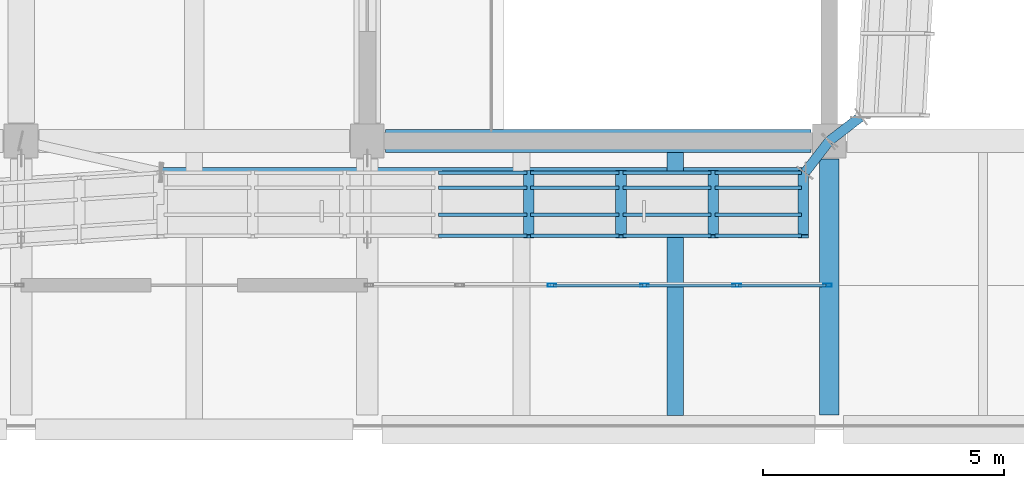
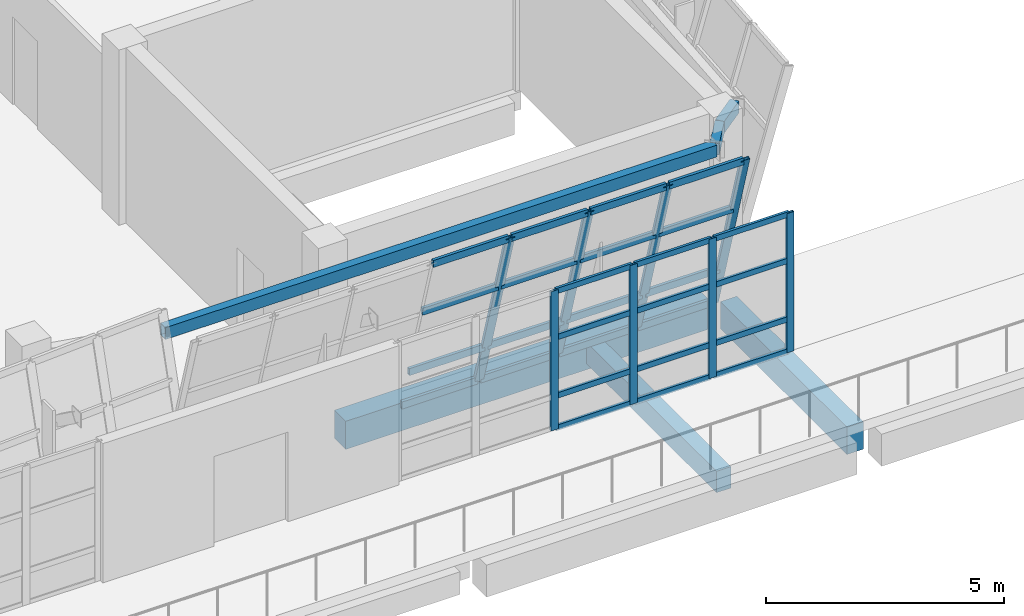
# One storey, part 17 of 67: 36 members, 6 beams, 2 elements without a shape of their own.
"""IFC4 building model written with IfcOpenShell, lengths in metres."""

import ifcopenshell
import ifcopenshell.guid

model = None  # the IFC model being written
_history = None  # IfcOwnerHistory: only IFC2X3 demands one
_inside = {}  # id of a spatial element -> (the spatial element, [elements in it])
_under = {}  # id of a project, library or spatial element -> (it, [spatial elements below it])
_declared = {}  # id of a project -> (the project, [libraries it declares])
_typed = {}  # id of a type object -> (the type object, [elements of that type])
_made_of = {}  # id of a material, layer set ... -> (it, [elements and type objects made of it])


def new_model(schema):
    """Start an empty IFC model of exactly this schema.

    Asked for "IFC4X3", IfcOpenShell would pick the latest addendum, in which some entities
    have other attributes; the version numbers below select the first issue.
    IFC2X3 requires an IfcOwnerHistory on every rooted entity: one is made here for all.
    """
    global model, _history
    if schema == "IFC4X3":
        model = ifcopenshell.file(schema_version=(4, 3, 0, 0))
    else:
        model = ifcopenshell.file(schema=schema)
    _inside.clear()
    _under.clear()
    _declared.clear()
    _typed.clear()
    _made_of.clear()
    _history = None
    if model.schema == "IFC2X3":
        org = make("IfcOrganization", Name="unknown")
        user = make(
            "IfcPersonAndOrganization",
            ThePerson=make("IfcPerson", FamilyName="unknown"),
            TheOrganization=org,
        )
        app = make(
            "IfcApplication",
            ApplicationDeveloper=org,
            Version="unknown",
            ApplicationFullName="unknown",
            ApplicationIdentifier="unknown",
        )
        _history = make(
            "IfcOwnerHistory",
            OwningUser=user,
            OwningApplication=app,
            ChangeAction="ADDED",
            CreationDate=0,
        )
    return model


def make(cls, **values):
    """One entity of the class cls with the attributes given. An attribute that is None is left unset."""
    return model.create_entity(
        cls, **{name: value for name, value in values.items() if value is not None}
    )


def rooted(cls, **values):
    """An entity with a GlobalId (a new one), such as an element, a storey or a relation."""
    return make(cls, GlobalId=ifcopenshell.guid.new(), OwnerHistory=_history, **values)


def si_unit(unit_type, name, prefix=None):
    """IfcSIUnit, for example si_unit("LENGTHUNIT", "METRE", prefix="MILLI")."""
    return make("IfcSIUnit", UnitType=unit_type, Prefix=prefix, Name=name)


def assignment(units):
    """IfcUnitAssignment: the units of a project."""
    return None if units is None else make("IfcUnitAssignment", Units=units)


def point(xyz):
    """IfcCartesianPoint."""
    return None if xyz is None else make("IfcCartesianPoint", Coordinates=xyz)


def direction(xyz):
    """IfcDirection."""
    return None if xyz is None else make("IfcDirection", DirectionRatios=xyz)


def frame(location, z_axis=None, x_axis=None):
    """IfcAxis2Placement3D, a coordinate frame: its origin and axes. An axis left out is left unset."""
    return make(
        "IfcAxis2Placement3D",
        Location=point(location),
        Axis=direction(z_axis),
        RefDirection=direction(x_axis),
    )


def frame_2d(location, x_axis=None):
    """IfcAxis2Placement2D, a coordinate frame in the plane: its origin and x axis."""
    return make(
        "IfcAxis2Placement2D", Location=point(location), RefDirection=direction(x_axis)
    )


def origin():
    """The frame at (0, 0, 0) with its axes left unset."""
    return frame((0.0, 0.0, 0.0))


def origin_2d():
    """The frame at (0, 0) in the plane with its x axis left unset."""
    return frame_2d((0.0, 0.0))


def place(relative_to, where):
    """IfcLocalPlacement: puts the frame where relative to a parent placement (None: the world)."""
    return make(
        "IfcLocalPlacement", PlacementRelTo=relative_to, RelativePlacement=where
    )


def context(
    kind, dimensions, precision=None, world=None, true_north=None, identifier=None
):
    """IfcGeometricRepresentationContext, for example the 3D "Model" context."""
    return make(
        "IfcGeometricRepresentationContext",
        ContextIdentifier=identifier,
        ContextType=kind,
        CoordinateSpaceDimension=dimensions,
        Precision=precision,
        WorldCoordinateSystem=world,
        TrueNorth=true_north,
    )


def subcontext(parent, identifier, kind, view, scale=None):
    """IfcGeometricRepresentationSubContext, for example "Body" below "Model"."""
    return make(
        "IfcGeometricRepresentationSubContext",
        ContextIdentifier=identifier,
        ContextType=kind,
        ParentContext=parent,
        TargetScale=scale,
        TargetView=view,
    )


def project(units=None, contexts=None):
    """IfcProject with its units and contexts."""
    return rooted(
        "IfcProject",
        Name="project",
        RepresentationContexts=contexts,
        UnitsInContext=assignment(units),
    )


def spatial(cls, under=None, at=None, **own):
    """A site, building, storey or space (cls), placed at a placement, below another one or the project."""
    s = rooted(cls, ObjectPlacement=at, **own)
    if under is not None:
        _under.setdefault(under.id(), (under, []))[1].append(s)
    return s


def profile(cls, at=None, kind="AREA", **sizes):
    """A parametric profile (cls). Its sizes go by their IFC names, for example OverallWidth=200.0."""
    return make(cls, ProfileType=kind, Position=at, **sizes)


def rectangle(**sizes):
    """IfcRectangleProfileDef."""
    return profile("IfcRectangleProfileDef", **sizes)


def hollow_rectangle(**sizes):
    """IfcRectangleHollowProfileDef."""
    return profile("IfcRectangleHollowProfileDef", **sizes)


def extrude(swept, where, along, depth):
    """IfcExtrudedAreaSolid: the profile swept, set in the frame where, extruded along a direction by depth."""
    return make(
        "IfcExtrudedAreaSolid",
        SweptArea=swept,
        Position=where,
        ExtrudedDirection=direction(along),
        Depth=depth,
    )


def shape(context_of_items, identifier, shape_type, items):
    """IfcShapeRepresentation: the items that make up one representation, for example the "Body"."""
    return make(
        "IfcShapeRepresentation",
        ContextOfItems=context_of_items,
        RepresentationIdentifier=identifier,
        RepresentationType=shape_type,
        Items=items,
    )


def material(Name=None, Category=None):
    """IfcMaterial."""
    return make("IfcMaterial", Name=Name, Category=Category)


def material_profile(
    of_material, cross_section, Name=None, Category=None, Priority=None
):
    """IfcMaterialProfile: a cross section and its material."""
    return make(
        "IfcMaterialProfile",
        Name=Name,
        Material=of_material,
        Profile=cross_section,
        Priority=Priority,
        Category=Category,
    )


def profile_set(profiles, Name=None, composite=None):
    """IfcMaterialProfileSet."""
    return make(
        "IfcMaterialProfileSet",
        Name=Name,
        MaterialProfiles=profiles,
        CompositeProfile=composite,
    )


def made_of(thing, what):
    """Note that an element or type object is made of a material, layer set ...; save() writes the relation."""
    if what is not None:
        _made_of.setdefault(what.id(), (what, []))[1].append(thing)
    return thing


def type_object(cls, material=None, **own):
    """A type object (cls), such as IfcWallType, which elements share."""
    return made_of(rooted(cls, **own), material)


def element(
    cls,
    number,
    at=None,
    inside=None,
    cuts=None,
    type_object=None,
    material=None,
    context=None,
    identifier="Body",
    shape_type=None,
    held_by="IfcProductDefinitionShape",
    body=None,
    shapes=None,
    **own,
):
    """One element of the class cls, such as IfcWall. Its Tag is "e" and its number.

    at: its placement. inside: the storey or other place that contains it. cuts: it is an
    opening in that element (IfcRelVoidsElement). A single representation is given by context,
    identifier, shape_type and body (its items); several are given by shapes. held_by: the class
    of the entity that holds the representations. save() writes the other relations.
    """
    e = rooted(cls, Tag="e%d" % number, ObjectPlacement=at, **own)
    if body is not None:
        shapes = [shape(context, identifier, shape_type, body)]
    if shapes is not None:
        e.Representation = make(held_by, Representations=shapes)
    if inside is not None:
        _inside.setdefault(inside.id(), (inside, []))[1].append(e)
    if cuts is not None:
        rooted(
            "IfcRelVoidsElement", RelatingBuildingElement=cuts, RelatedOpeningElement=e
        )
    if type_object is not None:
        _typed.setdefault(type_object.id(), (type_object, []))[1].append(e)
    return made_of(e, material)


def aggregate(whole, parts):
    """IfcRelAggregates: a whole, such as a stair, and the parts it consists of."""
    return rooted("IfcRelAggregates", RelatingObject=whole, RelatedObjects=parts)


def save(model, path):
    """Write the relations noted so far, then the file.

    IfcRelAggregates (storeys below a building ...), IfcRelContainedInSpatialStructure (elements
    in a storey), IfcRelDefinesByType, IfcRelAssociatesMaterial and IfcRelDeclares: one each for
    every whole, place, type object, material and project.
    """
    for whole, parts in _under.values():
        aggregate(whole, parts)
    for where, things in _inside.values():
        rooted(
            "IfcRelContainedInSpatialStructure",
            RelatedElements=things,
            RelatingStructure=where,
        )
    for kind, things in _typed.values():
        rooted("IfcRelDefinesByType", RelatedObjects=things, RelatingType=kind)
    for what, things in _made_of.values():
        rooted("IfcRelAssociatesMaterial", RelatedObjects=things, RelatingMaterial=what)
    for by, libraries in _declared.values():
        rooted("IfcRelDeclares", RelatingContext=by, RelatedDefinitions=libraries)
    model.write(path)


model = new_model("IFC4")

# Units and contexts
model_context = context("Model", 3, precision=1e-05, world=origin(), true_north=direction((0.0, 1.0)))
body_context = subcontext(model_context, "Body", "Model", "MODEL_VIEW")
ifc_project = project(units=[si_unit("LENGTHUNIT", "METRE"), si_unit("AREAUNIT", "SQUARE_METRE"), si_unit("VOLUMEUNIT", "CUBIC_METRE"), si_unit("PLANEANGLEUNIT", "RADIAN"), si_unit("MASSUNIT", "GRAM", prefix="KILO")], contexts=[model_context])

# Site, building, storey
site_placement = place(None, origin())
site = spatial("IfcSite", under=ifc_project, at=site_placement, CompositionType="ELEMENT")
building_placement = place(site_placement, origin())
building = spatial("IfcBuilding", under=site, at=building_placement, Name="Pellamere Symphony Hall", CompositionType="ELEMENT")
storey_placement = place(building_placement, frame((0.0, 0.0, 19.5)))
storey = spatial("IfcBuildingStorey", under=building, at=storey_placement, Name="L04", CompositionType="ELEMENT", Elevation=19.5)

# Curtain wall, members
ifc_material_1 = material(Name="Thermally Broken Anodised Aluminium 6063-T6 Curtain Wall", Category="aluminium")
curtain_wall_type_1 = type_object("IfcCurtainWallType", Name="Curtain Wall CW-01 (Tilted Faceted Crystal Low-Iron Curtain Wall)", PredefinedType="NOTDEFINED", material=ifc_material_1)
curtain_wall_1_placement = place(storey_placement, origin())
curtain_wall_1 = element("IfcCurtainWall", 1, at=curtain_wall_1_placement, inside=storey, type_object=curtain_wall_type_1, Name="Crystal Faceted Curtain Wall CW-CR05 (L04)", PredefinedType="NOTDEFINED")
ifc_material_2 = material(Name="Anodised Architectural Aluminium 6063-T6", Category="aluminium")
ifc_material_profile_1 = material_profile(ifc_material_2, hollow_rectangle(XDim=0.074951171875, YDim=0.219970703125, WallThickness=0.0048828125, at=origin_2d()), Name="ALU-M75X220X5")
ifc_profile_set_1 = profile_set([ifc_material_profile_1], Name="Anodised Architectural Aluminium 6063-T6")
member_type_1 = type_object("IfcMemberType", Name="Curtain Wall Mullion ML-01 ALU-M75X220X5", PredefinedType="MULLION", material=ifc_profile_set_1)
member_1_placement = place(storey_placement, frame((112.55712890625, 29.35009765625, 0.0), z_axis=(0.0, -0.284024567884, 0.95881700279), x_axis=(0.0, 0.95881700279, 0.284024567884)))
member_1 = element("IfcMember", 2, at=member_1_placement, type_object=member_type_1, Name="CW1-005 crystal mullion 5", PredefinedType="MULLION", context=body_context, shape_type="SweptSolid", body=[
    extrude(hollow_rectangle(XDim=0.074951171875, YDim=0.219970703125, WallThickness=0.0048828125, at=origin_2d()), origin(), (0.0, 0.0, 1.0), 4.693359375),
])
member_2_placement = place(storey_placement, frame((114.471435546875, 29.35009765625, 0.0), z_axis=(0.0, -0.284024567884, 0.95881700279), x_axis=(0.0, 0.95881700279, 0.284024567884)))
member_2 = element("IfcMember", 3, at=member_2_placement, type_object=member_type_1, Name="CW1-005 crystal mullion 6", PredefinedType="MULLION", context=body_context, shape_type="SweptSolid", body=[
    extrude(hollow_rectangle(XDim=0.074951171875, YDim=0.219970703125, WallThickness=0.0048828125, at=origin_2d()), origin(), (0.0, 0.0, 1.0), 4.693359375),
])
member_3_placement = place(storey_placement, frame((116.3857421875, 29.35009765625, 0.0), z_axis=(0.0, -0.284024567884, 0.95881700279), x_axis=(0.0, 0.95881700279, 0.284024567884)))
member_3 = element("IfcMember", 4, at=member_3_placement, type_object=member_type_1, Name="CW1-005 crystal mullion 7", PredefinedType="MULLION", context=body_context, shape_type="SweptSolid", body=[
    extrude(hollow_rectangle(XDim=0.074951171875, YDim=0.219970703125, WallThickness=0.0048828125, at=origin_2d()), origin(), (0.0, 0.0, 1.0), 4.693359375),
])
member_4_placement = place(storey_placement, frame((118.262451171875, 29.35009765625, 0.0), z_axis=(0.0, -0.284024567884, 0.95881700279), x_axis=(0.0, 0.95881700279, 0.284024567884)))
member_4 = element("IfcMember", 5, at=member_4_placement, type_object=member_type_1, Name="CW1-005 crystal mullion 8", PredefinedType="MULLION", context=body_context, shape_type="SweptSolid", body=[
    extrude(hollow_rectangle(XDim=0.074951171875, YDim=0.219970703125, WallThickness=0.0048828125, at=origin_2d()), origin(), (0.0, 0.0, 1.0), 4.693359375),
])

curtain_wall_type_2 = type_object("IfcCurtainWallType", Name="Curtain Wall CW-06 (Belvedere Terrace Clerestory Curtain Wall)", PredefinedType="NOTDEFINED", material=ifc_material_1)
curtain_wall_2_placement = place(storey_placement, origin())
curtain_wall_2 = element("IfcCurtainWall", 6, at=curtain_wall_2_placement, inside=storey, type_object=curtain_wall_type_2, Name="Winter-Garden South Curtain Wall (L04 Bay 9)", PredefinedType="NOTDEFINED")
ifc_material_profile_2 = material_profile(ifc_material_2, hollow_rectangle(XDim=0.06494140625, YDim=0.179931640625, WallThickness=0.00390625, at=origin_2d()), Name="ALU-M65X180X4")
ifc_profile_set_2 = profile_set([ifc_material_profile_2], Name="Anodised Architectural Aluminium 6063-T6")
member_type_2 = type_object("IfcMemberType", Name="Curtain Wall Mullion ML-02 ALU-M65X180X4", PredefinedType="MULLION", material=ifc_profile_set_2)
member_5_placement = place(storey_placement, frame((113.0400390625, 27.0, 0.0), z_axis=(0.0, 0.0, 1.0), x_axis=(0.0, 1.0, 0.0)))
member_5 = element("IfcMember", 7, at=member_5_placement, type_object=member_type_2, Name="CW2-101 crystal mullion 3", PredefinedType="MULLION", context=body_context, shape_type="SweptSolid", body=[
    extrude(hollow_rectangle(XDim=0.06494140625, YDim=0.179931640625, WallThickness=0.00390625, at=origin_2d()), origin(), (0.0, 0.0, 1.0), 3.577392578125),
])
member_6_placement = place(storey_placement, frame((114.9599609375, 27.0, 0.0), z_axis=(0.0, 0.0, 1.0), x_axis=(0.0, 1.0, 0.0)))
member_6 = element("IfcMember", 8, at=member_6_placement, type_object=member_type_2, Name="CW2-101 crystal mullion 4", PredefinedType="MULLION", context=body_context, shape_type="SweptSolid", body=[
    extrude(hollow_rectangle(XDim=0.06494140625, YDim=0.179931640625, WallThickness=0.00390625, at=origin_2d()), origin(), (0.0, 0.0, 1.0), 3.577392578125),
])
member_7_placement = place(storey_placement, frame((116.8798828125, 27.0, 0.0), z_axis=(0.0, 0.0, 1.0), x_axis=(0.0, 1.0, 0.0)))
member_7 = element("IfcMember", 9, at=member_7_placement, type_object=member_type_2, Name="CW2-101 crystal mullion 5", PredefinedType="MULLION", context=body_context, shape_type="SweptSolid", body=[
    extrude(hollow_rectangle(XDim=0.06494140625, YDim=0.179931640625, WallThickness=0.00390625, at=origin_2d()), origin(), (0.0, 0.0, 1.0), 3.577392578125),
])
member_8_placement = place(storey_placement, frame((118.767578125, 27.0, 0.0), z_axis=(0.0, 0.0, 1.0), x_axis=(0.0, 1.0, 0.0)))
member_8 = element("IfcMember", 10, at=member_8_placement, type_object=member_type_2, Name="CW2-101 crystal mullion 6", PredefinedType="MULLION", context=body_context, shape_type="SweptSolid", body=[
    extrude(hollow_rectangle(XDim=0.06494140625, YDim=0.179931640625, WallThickness=0.00390625, at=origin_2d()), origin(), (0.0, 0.0, 1.0), 3.577392578125),
])

# Member
ifc_material_profile_3 = material_profile(ifc_material_2, hollow_rectangle(XDim=0.074951171875, YDim=0.179931640625, WallThickness=0.0048828125, at=origin_2d()), Name="ALU-T75X180X5")
ifc_profile_set_3 = profile_set([ifc_material_profile_3], Name="Anodised Architectural Aluminium 6063-T6")
member_type_3 = type_object("IfcMemberType", Name="Curtain Wall Transom TR-01 ALU-T75X180X5", PredefinedType="USERDEFINED", material=ifc_profile_set_3)
member_9_placement = place(storey_placement, frame((110.680419921875, 29.33935546875, 0.035888671875), z_axis=(1.0, 0.0, 0.0), x_axis=(0.0, 1.0, 0.0)))
member_9 = element("IfcMember", 11, at=member_9_placement, type_object=member_type_3, Name="CW1-005 crystal transom 4.1", ObjectType="TRANSOM", PredefinedType="USERDEFINED", context=body_context, shape_type="SweptSolid", body=[
    extrude(hollow_rectangle(XDim=0.074951171875, YDim=0.179931640625, WallThickness=0.0048828125, at=origin_2d()), origin(), (0.0, 0.0, 1.0), 1.839111328125),
])

member_10_placement = place(storey_placement, frame((110.680419921875, 29.030029296875, 1.080078125), z_axis=(1.0, 0.0, 0.0), x_axis=(0.0, 1.0, 0.0)))
member_10 = element("IfcMember", 12, at=member_10_placement, type_object=member_type_3, Name="CW1-005 crystal transom 4.2", ObjectType="TRANSOM", PredefinedType="USERDEFINED", context=body_context, shape_type="SweptSolid", body=[
    extrude(hollow_rectangle(XDim=0.074951171875, YDim=0.179931640625, WallThickness=0.0048828125, at=origin_2d()), origin(), (0.0, 0.0, 1.0), 1.839111328125),
])

member_11_placement = place(storey_placement, frame((110.680419921875, 28.47021484375, 2.969970703125), z_axis=(1.0, 0.0, 0.0), x_axis=(0.0, 1.0, 0.0)))
member_11 = element("IfcMember", 13, at=member_11_placement, type_object=member_type_3, Name="CW1-005 crystal transom 4.3", ObjectType="TRANSOM", PredefinedType="USERDEFINED", context=body_context, shape_type="SweptSolid", body=[
    extrude(hollow_rectangle(XDim=0.074951171875, YDim=0.179931640625, WallThickness=0.0048828125, at=origin_2d()), origin(), (0.0, 0.0, 1.0), 1.839111328125),
])

member_12_placement = place(storey_placement, frame((110.680419921875, 28.027587890625, 4.464111328125), z_axis=(1.0, 0.0, 0.0), x_axis=(0.0, 1.0, 0.0)))
member_12 = element("IfcMember", 14, at=member_12_placement, type_object=member_type_3, Name="CW1-005 crystal transom 4.4", ObjectType="TRANSOM", PredefinedType="USERDEFINED", context=body_context, shape_type="SweptSolid", body=[
    extrude(hollow_rectangle(XDim=0.074951171875, YDim=0.179931640625, WallThickness=0.0048828125, at=origin_2d()), origin(), (0.0, 0.0, 1.0), 1.839111328125),
])

member_13_placement = place(storey_placement, frame((112.5947265625, 29.33935546875, 0.035888671875), z_axis=(1.0, 0.0, 0.0), x_axis=(0.0, 1.0, 0.0)))
member_13 = element("IfcMember", 15, at=member_13_placement, type_object=member_type_3, Name="CW1-005 crystal transom 5.1", ObjectType="TRANSOM", PredefinedType="USERDEFINED", context=body_context, shape_type="SweptSolid", body=[
    extrude(hollow_rectangle(XDim=0.074951171875, YDim=0.179931640625, WallThickness=0.0048828125, at=origin_2d()), origin(), (0.0, 0.0, 1.0), 1.839111328125),
])

member_14_placement = place(storey_placement, frame((112.5947265625, 29.030029296875, 1.080078125), z_axis=(1.0, 0.0, 0.0), x_axis=(0.0, 1.0, 0.0)))
member_14 = element("IfcMember", 16, at=member_14_placement, type_object=member_type_3, Name="CW1-005 crystal transom 5.2", ObjectType="TRANSOM", PredefinedType="USERDEFINED", context=body_context, shape_type="SweptSolid", body=[
    extrude(hollow_rectangle(XDim=0.074951171875, YDim=0.179931640625, WallThickness=0.0048828125, at=origin_2d()), origin(), (0.0, 0.0, 1.0), 1.839111328125),
])

member_15_placement = place(storey_placement, frame((112.5947265625, 28.47021484375, 2.969970703125), z_axis=(1.0, 0.0, 0.0), x_axis=(0.0, 1.0, 0.0)))
member_15 = element("IfcMember", 17, at=member_15_placement, type_object=member_type_3, Name="CW1-005 crystal transom 5.3", ObjectType="TRANSOM", PredefinedType="USERDEFINED", context=body_context, shape_type="SweptSolid", body=[
    extrude(hollow_rectangle(XDim=0.074951171875, YDim=0.179931640625, WallThickness=0.0048828125, at=origin_2d()), origin(), (0.0, 0.0, 1.0), 1.839111328125),
])

member_16_placement = place(storey_placement, frame((112.5947265625, 28.027587890625, 4.464111328125), z_axis=(1.0, 0.0, 0.0), x_axis=(0.0, 1.0, 0.0)))
member_16 = element("IfcMember", 18, at=member_16_placement, type_object=member_type_3, Name="CW1-005 crystal transom 5.4", ObjectType="TRANSOM", PredefinedType="USERDEFINED", context=body_context, shape_type="SweptSolid", body=[
    extrude(hollow_rectangle(XDim=0.074951171875, YDim=0.179931640625, WallThickness=0.0048828125, at=origin_2d()), origin(), (0.0, 0.0, 1.0), 1.839111328125),
])

member_17_placement = place(storey_placement, frame((114.509033203125, 29.33935546875, 0.035888671875), z_axis=(1.0, 0.0, 0.0), x_axis=(0.0, 1.0, 0.0)))
member_17 = element("IfcMember", 19, at=member_17_placement, type_object=member_type_3, Name="CW1-005 crystal transom 6.1", ObjectType="TRANSOM", PredefinedType="USERDEFINED", context=body_context, shape_type="SweptSolid", body=[
    extrude(hollow_rectangle(XDim=0.074951171875, YDim=0.179931640625, WallThickness=0.0048828125, at=origin_2d()), origin(), (0.0, 0.0, 1.0), 1.839111328125),
])

member_18_placement = place(storey_placement, frame((114.509033203125, 29.030029296875, 1.080078125), z_axis=(1.0, 0.0, 0.0), x_axis=(0.0, 1.0, 0.0)))
member_18 = element("IfcMember", 20, at=member_18_placement, type_object=member_type_3, Name="CW1-005 crystal transom 6.2", ObjectType="TRANSOM", PredefinedType="USERDEFINED", context=body_context, shape_type="SweptSolid", body=[
    extrude(hollow_rectangle(XDim=0.074951171875, YDim=0.179931640625, WallThickness=0.0048828125, at=origin_2d()), origin(), (0.0, 0.0, 1.0), 1.839111328125),
])

member_19_placement = place(storey_placement, frame((114.509033203125, 28.47021484375, 2.969970703125), z_axis=(1.0, 0.0, 0.0), x_axis=(0.0, 1.0, 0.0)))
member_19 = element("IfcMember", 21, at=member_19_placement, type_object=member_type_3, Name="CW1-005 crystal transom 6.3", ObjectType="TRANSOM", PredefinedType="USERDEFINED", context=body_context, shape_type="SweptSolid", body=[
    extrude(hollow_rectangle(XDim=0.074951171875, YDim=0.179931640625, WallThickness=0.0048828125, at=origin_2d()), origin(), (0.0, 0.0, 1.0), 1.839111328125),
])

member_20_placement = place(storey_placement, frame((114.509033203125, 28.027587890625, 4.464111328125), z_axis=(1.0, 0.0, 0.0), x_axis=(0.0, 1.0, 0.0)))
member_20 = element("IfcMember", 22, at=member_20_placement, type_object=member_type_3, Name="CW1-005 crystal transom 6.4", ObjectType="TRANSOM", PredefinedType="USERDEFINED", context=body_context, shape_type="SweptSolid", body=[
    extrude(hollow_rectangle(XDim=0.074951171875, YDim=0.179931640625, WallThickness=0.0048828125, at=origin_2d()), origin(), (0.0, 0.0, 1.0), 1.839111328125),
])

member_21_placement = place(storey_placement, frame((116.423095703125, 29.33935546875, 0.035888671875), z_axis=(1.0, 0.0, 0.0), x_axis=(0.0, 1.0, 0.0)))
member_21 = element("IfcMember", 23, at=member_21_placement, type_object=member_type_3, Name="CW1-005 crystal transom 7.1", ObjectType="TRANSOM", PredefinedType="USERDEFINED", context=body_context, shape_type="SweptSolid", body=[
    extrude(hollow_rectangle(XDim=0.074951171875, YDim=0.179931640625, WallThickness=0.0048828125, at=origin_2d()), origin(), (0.0, 0.0, 1.0), 1.802001953125),
])

member_22_placement = place(storey_placement, frame((116.423095703125, 29.030029296875, 1.080078125), z_axis=(1.0, 0.0, 0.0), x_axis=(0.0, 1.0, 0.0)))
member_22 = element("IfcMember", 24, at=member_22_placement, type_object=member_type_3, Name="CW1-005 crystal transom 7.2", ObjectType="TRANSOM", PredefinedType="USERDEFINED", context=body_context, shape_type="SweptSolid", body=[
    extrude(hollow_rectangle(XDim=0.074951171875, YDim=0.179931640625, WallThickness=0.0048828125, at=origin_2d()), origin(), (0.0, 0.0, 1.0), 1.802001953125),
])

member_23_placement = place(storey_placement, frame((116.423095703125, 28.47021484375, 2.969970703125), z_axis=(1.0, 0.0, 0.0), x_axis=(0.0, 1.0, 0.0)))
member_23 = element("IfcMember", 25, at=member_23_placement, type_object=member_type_3, Name="CW1-005 crystal transom 7.3", ObjectType="TRANSOM", PredefinedType="USERDEFINED", context=body_context, shape_type="SweptSolid", body=[
    extrude(hollow_rectangle(XDim=0.074951171875, YDim=0.179931640625, WallThickness=0.0048828125, at=origin_2d()), origin(), (0.0, 0.0, 1.0), 1.802001953125),
])

member_24_placement = place(storey_placement, frame((116.423095703125, 28.027587890625, 4.464111328125), z_axis=(1.0, 0.0, 0.0), x_axis=(0.0, 1.0, 0.0)))
member_24 = element("IfcMember", 26, at=member_24_placement, type_object=member_type_3, Name="CW1-005 crystal transom 7.4", ObjectType="TRANSOM", PredefinedType="USERDEFINED", context=body_context, shape_type="SweptSolid", body=[
    extrude(hollow_rectangle(XDim=0.074951171875, YDim=0.179931640625, WallThickness=0.0048828125, at=origin_2d()), origin(), (0.0, 0.0, 1.0), 1.802001953125),
])

aggregate(curtain_wall_1, [member_1, member_2, member_3, member_4, member_9, member_10, member_11, member_12, member_13, member_14, member_15, member_16, member_17, member_18, member_19, member_20, member_21, member_22, member_23, member_24])

ifc_material_profile_4 = material_profile(ifc_material_2, hollow_rectangle(XDim=0.06494140625, YDim=0.139892578125, WallThickness=0.00390625, at=origin_2d()), Name="ALU-T65X140X4")
ifc_profile_set_4 = profile_set([ifc_material_profile_4], Name="Anodised Architectural Aluminium 6063-T6")
member_type_4 = type_object("IfcMemberType", Name="Curtain Wall Transom TR-02 ALU-T65X140X4", PredefinedType="USERDEFINED", material=ifc_profile_set_4)
member_25_placement = place(storey_placement, frame((113.072509765625, 27.0, 0.032470703125), z_axis=(1.0, 0.0, 0.0), x_axis=(0.0, 1.0, 0.0)))
member_25 = element("IfcMember", 27, at=member_25_placement, type_object=member_type_4, Name="CW2-101 crystal transom 3.1", ObjectType="TRANSOM", PredefinedType="USERDEFINED", context=body_context, shape_type="SweptSolid", body=[
    extrude(hollow_rectangle(XDim=0.06494140625, YDim=0.139892578125, WallThickness=0.00390625, at=origin_2d()), origin(), (0.0, 0.0, 1.0), 1.85498046875),
])

member_26_placement = place(storey_placement, frame((113.072509765625, 27.0, 0.858642578125), z_axis=(1.0, 0.0, 0.0), x_axis=(0.0, 1.0, 0.0)))
member_26 = element("IfcMember", 28, at=member_26_placement, type_object=member_type_4, Name="CW2-101 crystal transom 3.2", ObjectType="TRANSOM", PredefinedType="USERDEFINED", context=body_context, shape_type="SweptSolid", body=[
    extrude(hollow_rectangle(XDim=0.06494140625, YDim=0.139892578125, WallThickness=0.00390625, at=origin_2d()), origin(), (0.0, 0.0, 1.0), 1.85498046875),
])

member_27_placement = place(storey_placement, frame((113.072509765625, 27.0, 2.361083984375), z_axis=(1.0, 0.0, 0.0), x_axis=(0.0, 1.0, 0.0)))
member_27 = element("IfcMember", 29, at=member_27_placement, type_object=member_type_4, Name="CW2-101 crystal transom 3.3", ObjectType="TRANSOM", PredefinedType="USERDEFINED", context=body_context, shape_type="SweptSolid", body=[
    extrude(hollow_rectangle(XDim=0.06494140625, YDim=0.139892578125, WallThickness=0.00390625, at=origin_2d()), origin(), (0.0, 0.0, 1.0), 1.85498046875),
])

member_28_placement = place(storey_placement, frame((113.072509765625, 27.0, 3.544921875), z_axis=(1.0, 0.0, 0.0), x_axis=(0.0, 1.0, 0.0)))
member_28 = element("IfcMember", 30, at=member_28_placement, type_object=member_type_4, Name="CW2-101 crystal transom 3.4", ObjectType="TRANSOM", PredefinedType="USERDEFINED", context=body_context, shape_type="SweptSolid", body=[
    extrude(hollow_rectangle(XDim=0.06494140625, YDim=0.139892578125, WallThickness=0.00390625, at=origin_2d()), origin(), (0.0, 0.0, 1.0), 1.85498046875),
])

member_29_placement = place(storey_placement, frame((114.992431640625, 27.0, 0.032470703125), z_axis=(1.0, 0.0, 0.0), x_axis=(0.0, 1.0, 0.0)))
member_29 = element("IfcMember", 31, at=member_29_placement, type_object=member_type_4, Name="CW2-101 crystal transom 4.1", ObjectType="TRANSOM", PredefinedType="USERDEFINED", context=body_context, shape_type="SweptSolid", body=[
    extrude(hollow_rectangle(XDim=0.06494140625, YDim=0.139892578125, WallThickness=0.00390625, at=origin_2d()), origin(), (0.0, 0.0, 1.0), 1.85498046875),
])

member_30_placement = place(storey_placement, frame((114.992431640625, 27.0, 0.858642578125), z_axis=(1.0, 0.0, 0.0), x_axis=(0.0, 1.0, 0.0)))
member_30 = element("IfcMember", 32, at=member_30_placement, type_object=member_type_4, Name="CW2-101 crystal transom 4.2", ObjectType="TRANSOM", PredefinedType="USERDEFINED", context=body_context, shape_type="SweptSolid", body=[
    extrude(hollow_rectangle(XDim=0.06494140625, YDim=0.139892578125, WallThickness=0.00390625, at=origin_2d()), origin(), (0.0, 0.0, 1.0), 1.85498046875),
])

member_31_placement = place(storey_placement, frame((114.992431640625, 27.0, 2.361083984375), z_axis=(1.0, 0.0, 0.0), x_axis=(0.0, 1.0, 0.0)))
member_31 = element("IfcMember", 33, at=member_31_placement, type_object=member_type_4, Name="CW2-101 crystal transom 4.3", ObjectType="TRANSOM", PredefinedType="USERDEFINED", context=body_context, shape_type="SweptSolid", body=[
    extrude(hollow_rectangle(XDim=0.06494140625, YDim=0.139892578125, WallThickness=0.00390625, at=origin_2d()), origin(), (0.0, 0.0, 1.0), 1.85498046875),
])

member_32_placement = place(storey_placement, frame((114.992431640625, 27.0, 3.544921875), z_axis=(1.0, 0.0, 0.0), x_axis=(0.0, 1.0, 0.0)))
member_32 = element("IfcMember", 34, at=member_32_placement, type_object=member_type_4, Name="CW2-101 crystal transom 4.4", ObjectType="TRANSOM", PredefinedType="USERDEFINED", context=body_context, shape_type="SweptSolid", body=[
    extrude(hollow_rectangle(XDim=0.06494140625, YDim=0.139892578125, WallThickness=0.00390625, at=origin_2d()), origin(), (0.0, 0.0, 1.0), 1.85498046875),
])

member_33_placement = place(storey_placement, frame((116.91259765625, 27.0, 0.032470703125), z_axis=(1.0, 0.0, 0.0), x_axis=(0.0, 1.0, 0.0)))
member_33 = element("IfcMember", 35, at=member_33_placement, type_object=member_type_4, Name="CW2-101 crystal transom 5.1", ObjectType="TRANSOM", PredefinedType="USERDEFINED", context=body_context, shape_type="SweptSolid", body=[
    extrude(hollow_rectangle(XDim=0.06494140625, YDim=0.139892578125, WallThickness=0.00390625, at=origin_2d()), origin(), (0.0, 0.0, 1.0), 1.822509765625),
])

member_34_placement = place(storey_placement, frame((116.91259765625, 27.0, 0.858642578125), z_axis=(1.0, 0.0, 0.0), x_axis=(0.0, 1.0, 0.0)))
member_34 = element("IfcMember", 36, at=member_34_placement, type_object=member_type_4, Name="CW2-101 crystal transom 5.2", ObjectType="TRANSOM", PredefinedType="USERDEFINED", context=body_context, shape_type="SweptSolid", body=[
    extrude(hollow_rectangle(XDim=0.06494140625, YDim=0.139892578125, WallThickness=0.00390625, at=origin_2d()), origin(), (0.0, 0.0, 1.0), 1.822509765625),
])

member_35_placement = place(storey_placement, frame((116.91259765625, 27.0, 2.361083984375), z_axis=(1.0, 0.0, 0.0), x_axis=(0.0, 1.0, 0.0)))
member_35 = element("IfcMember", 37, at=member_35_placement, type_object=member_type_4, Name="CW2-101 crystal transom 5.3", ObjectType="TRANSOM", PredefinedType="USERDEFINED", context=body_context, shape_type="SweptSolid", body=[
    extrude(hollow_rectangle(XDim=0.06494140625, YDim=0.139892578125, WallThickness=0.00390625, at=origin_2d()), origin(), (0.0, 0.0, 1.0), 1.822509765625),
])

member_36_placement = place(storey_placement, frame((116.91259765625, 27.0, 3.544921875), z_axis=(1.0, 0.0, 0.0), x_axis=(0.0, 1.0, 0.0)))
member_36 = element("IfcMember", 38, at=member_36_placement, type_object=member_type_4, Name="CW2-101 crystal transom 5.4", ObjectType="TRANSOM", PredefinedType="USERDEFINED", context=body_context, shape_type="SweptSolid", body=[
    extrude(hollow_rectangle(XDim=0.06494140625, YDim=0.139892578125, WallThickness=0.00390625, at=origin_2d()), origin(), (0.0, 0.0, 1.0), 1.822509765625),
])

aggregate(curtain_wall_2, [member_5, member_6, member_7, member_8, member_25, member_26, member_27, member_28, member_29, member_30, member_31, member_32, member_33, member_34, member_35, member_36])

# Beams
ifc_material_3 = material(Name="Concrete 35 MPa", Category="concrete")
ifc_material_profile_5 = material_profile(ifc_material_3, rectangle(XDim=0.35009765625, YDim=0.550048828125, at=origin_2d()), Name="RC 350x550")
ifc_profile_set_5 = profile_set([ifc_material_profile_5], Name="Concrete 35 MPa")
beam_type_1 = type_object("IfcBeamType", Name="RC CB-10 350x550", PredefinedType="BEAM", material=ifc_profile_set_5)
beam_1_placement = place(storey_placement, frame((115.60009765625, 24.2900390625, -0.550048828125), z_axis=(0.0, 1.0, 0.0), x_axis=(-1.0, 0.0, 0.0)))
element("IfcBeam", 39, at=beam_1_placement, inside=storey, type_object=beam_type_1, Name="Secondary Floor Beam CB-10-B1403 (L04)", PredefinedType="BEAM", context=body_context, shape_type="SweptSolid", body=[
    extrude(rectangle(XDim=0.35009765625, YDim=0.550048828125, at=origin_2d()), origin(), (0.0, 0.0, 1.0), 5.469970703125),
])
ifc_material_4 = material(Name="Concrete 40 MPa", Category="concrete")
ifc_material_profile_6 = material_profile(ifc_material_4, rectangle(XDim=0.39990234375, YDim=0.699951171875, at=origin_2d()), Name="RC 400x700")
ifc_profile_set_6 = profile_set([ifc_material_profile_6], Name="Concrete 40 MPa")
beam_type_2 = type_object("IfcBeamType", Name="RC CB-13 400x700", PredefinedType="SPANDREL", material=ifc_profile_set_6)
beam_2_placement = place(storey_placement, frame((118.800048828125, 24.300048828125, -0.610107421875), z_axis=(0.0, 1.0, 0.0), x_axis=(-1.0, 0.0, 0.0)))
element("IfcBeam", 40, at=beam_2_placement, inside=storey, type_object=beam_type_2, Name="Girder CB-13-Y1907 (L04)", PredefinedType="SPANDREL", context=body_context, shape_type="SweptSolid", body=[
    extrude(rectangle(XDim=0.39990234375, YDim=0.699951171875, at=origin_2d()), origin(), (0.0, 0.0, 1.0), 5.324951171875),
])
ifc_material_profile_7 = material_profile(ifc_material_4, rectangle(XDim=0.47998046875, YDim=0.719970703125, at=origin_2d()), Name="RC 480x720")
ifc_profile_set_7 = profile_set([ifc_material_profile_7], Name="Concrete 40 MPa")
beam_type_3 = type_object("IfcBeamType", Name="RC CB-14 480x720", PredefinedType="SPANDREL", material=ifc_profile_set_7)
beam_3_placement = place(storey_placement, frame((109.574951171875, 30.0, -0.6201171875), z_axis=(1.0, 0.0, 0.0), x_axis=(0.0, 1.0, 0.0)))
element("IfcBeam", 41, at=beam_3_placement, inside=storey, type_object=beam_type_3, Name="Girder CB-14-X1811 (L04)", PredefinedType="SPANDREL", context=body_context, shape_type="SweptSolid", body=[
    extrude(rectangle(XDim=0.47998046875, YDim=0.719970703125, at=origin_2d()), origin(), (0.0, 0.0, 1.0), 8.85009765625),
])
ifc_material_5 = material(Name="Steel CSA G40.21 350W", Category="steel")
ifc_material_profile_8 = material_profile(ifc_material_5, hollow_rectangle(XDim=0.203125, YDim=0.3046875, WallThickness=0.0126953125, at=origin_2d()), Name="HSS305X203X13")
ifc_profile_set_8 = profile_set([ifc_material_profile_8], Name="Steel CSA G40.21 350W")
beam_type_4 = type_object("IfcBeamType", Name="Steel Spandrel SB-26 HSS305X203X13", PredefinedType="SPANDREL", material=ifc_profile_set_8)
beam_4_placement = place(storey_placement, frame((104.89990234375, 29.35009765625, 3.93994140625), z_axis=(1.0, 0.0, 0.0), x_axis=(0.0, 1.0, 0.0)))
element("IfcBeam", 42, at=beam_4_placement, inside=storey, type_object=beam_type_4, Name="Crystal Perimeter Ring Beam CW-CR05 (L04)", PredefinedType="SPANDREL", context=body_context, shape_type="SweptSolid", body=[
    extrude(hollow_rectangle(XDim=0.203125, YDim=0.3046875, WallThickness=0.0126953125, at=origin_2d()), origin(), (0.0, 0.0, 1.0), 13.400146484375),
])
for number, where, z_axis, x_axis, name in (
    (43, (118.800048828125, 30.0, 3.93994140625), (-0.609768314627, -0.792579713642, 0.0), (0.792579713642, -0.609768314627, 0.0), "Crystal Ring Outrigger Bracket 011 (L04)"),
    (44, (118.800048828125, 30.0, 3.93994140625), (0.792579713642, 0.609768314627, 0.0), (-0.609768314627, 0.792579713642, 0.0), "Crystal Ring Outrigger Bracket 018 (L04)"),
):
    element("IfcBeam", number, at=place(storey_placement, frame(where, z_axis=z_axis, x_axis=x_axis)), inside=storey, type_object=beam_type_4, Name=name, PredefinedType="SPANDREL", context=body_context, shape_type="SweptSolid", body=[
        extrude(hollow_rectangle(XDim=0.203125, YDim=0.3046875, WallThickness=0.0126953125, at=origin_2d()), origin(), (0.0, 0.0, 1.0), 0.820068359375),
    ])

save(model, "model.ifc")
